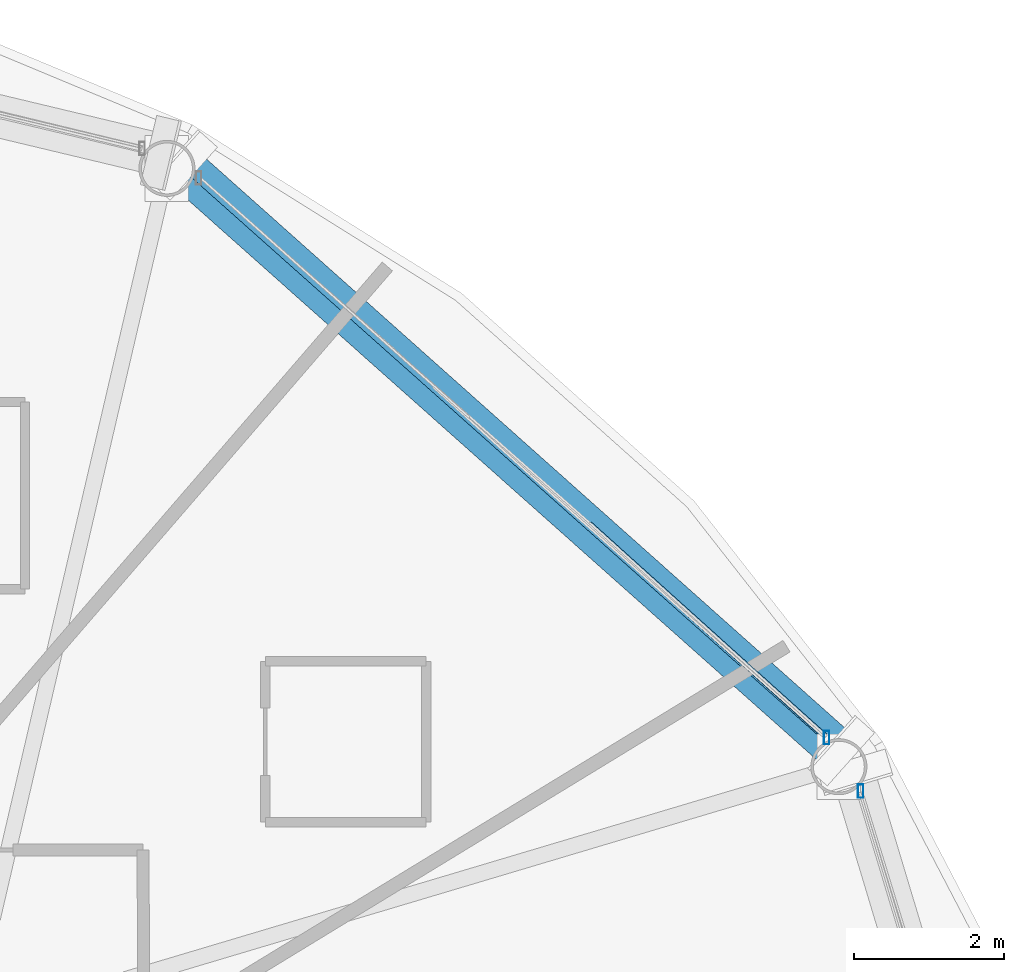
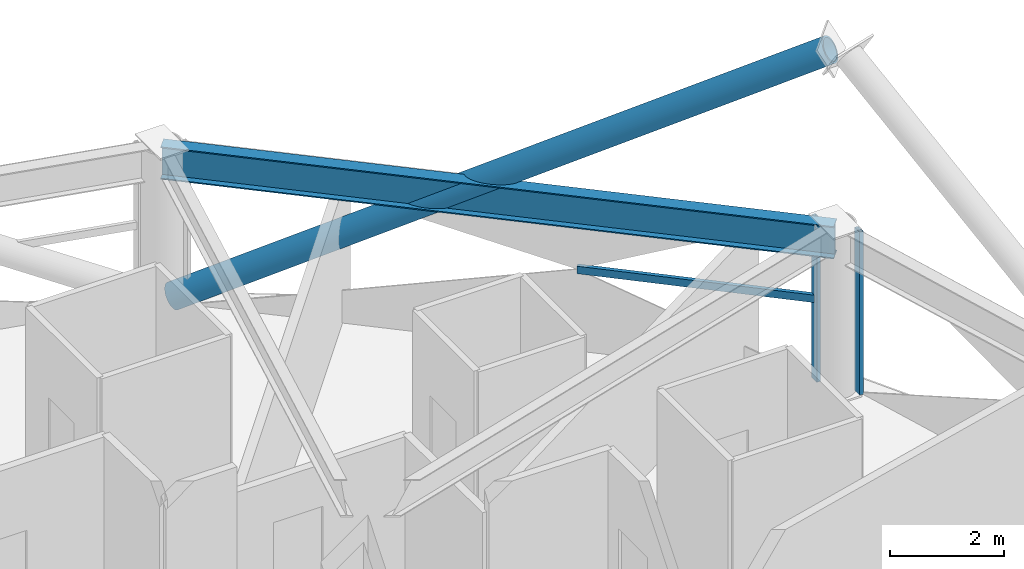
# One storey, part 18 of 29: 4 members, 1 beam, 2 elements without a shape of their own.
"""IFC4 building model written with IfcOpenShell, lengths in metres."""

from ifc_helpers import new_model, si_unit, direction, frame, origin, origin_2d, place, context, subcontext, project, spatial, hollow_rectangle, hollow_circle, i_section, extrude, material, layer, layer_set, material_profile, profile_set, type_object, element, aggregate, save


model = new_model("IFC4")

# Units and contexts
model_context = context("Model", 3, precision=1e-05, world=origin(), true_north=direction((0.0, 1.0)))
body_context = subcontext(model_context, "Body", "Model", "MODEL_VIEW")
ifc_project = project(units=[si_unit("LENGTHUNIT", "METRE"), si_unit("AREAUNIT", "SQUARE_METRE"), si_unit("VOLUMEUNIT", "CUBIC_METRE"), si_unit("PLANEANGLEUNIT", "RADIAN"), si_unit("MASSUNIT", "GRAM", prefix="KILO")], contexts=[model_context])

# Site, building, storey
site_placement = place(None, origin())
site = spatial("IfcSite", under=ifc_project, at=site_placement, CompositionType="ELEMENT")
building_placement = place(site_placement, origin())
building = spatial("IfcBuilding", under=site, at=building_placement, Name="Vantalir Tower", CompositionType="ELEMENT")
storey_placement = place(building_placement, frame((0.0, 0.0, 164.699951171875)))
storey = spatial("IfcBuildingStorey", under=building, at=storey_placement, Name="L41", CompositionType="ELEMENT", Elevation=164.699951171875)

# Beam
ifc_material_1 = material(Name="Steel S460", Category="steel")
ifc_material_profile_1 = material_profile(ifc_material_1, i_section(OverallWidth=0.256103515625, OverallDepth=0.693115234375, WebThickness=0.014404296875, FlangeThickness=0.023681640625, at=origin_2d()), Name="Steel S460")
ifc_profile_set_1 = profile_set([ifc_material_profile_1], Name="Steel S460")
beam_type = type_object("IfcBeamType", Name="BM-RG-686x254", PredefinedType="USERDEFINED", material=ifc_profile_set_1)
beam_placement = place(storey_placement, frame((52.7490234375, 35.924072265625, 3.22412109375), z_axis=(-0.746841140724, 0.66500248911, 0.0), x_axis=(-0.66500248911, -0.746841140724, 0.0)))
element("IfcBeam", 1, at=beam_placement, inside=storey, type_object=beam_type, Name="L41 Circumferential Ring Girder 02", ObjectType="GIRDER", PredefinedType="USERDEFINED", context=body_context, shape_type="SweptSolid", body=[
    extrude(i_section(OverallWidth=0.256103515625, OverallDepth=0.693115234375, WebThickness=0.014404296875, FlangeThickness=0.023681640625, at=origin_2d()), origin(), (0.0, 0.0, 1.0), 12.025146484375),
])

# Curtain wall, member
ifc_material_2 = material(Name="Champagne-silver PVDF aluminium and double-silver Low-E glass", Category="aluminium")
ifc_layer = layer(ifc_material_2, 0.199951171875)
ifc_layer_set = layer_set([ifc_layer], Name="Champagne-silver PVDF aluminium and double-silver Low-E glass")
curtain_wall_type = type_object("IfcCurtainWallType", Name="CW-DIAMOND-Z2", PredefinedType="USERDEFINED", material=ifc_layer_set)
curtain_wall_1_placement = place(storey_placement, origin())
curtain_wall_1 = element("IfcCurtainWall", 2, at=curtain_wall_1_placement, inside=storey, type_object=curtain_wall_type, Name="L41 Quilted Pyramid-Diamond Curtain Wall S01", ObjectType="UNITISED CURTAIN WALL", PredefinedType="USERDEFINED")
ifc_material_3 = material(Name="Champagne-silver PVDF aluminium 6063-T6", Category="aluminium")
ifc_material_profile_2 = material_profile(ifc_material_3, hollow_rectangle(XDim=0.074951171875, YDim=0.179931640625, WallThickness=0.00390625, at=origin_2d()), Name="Champagne-silver PVDF aluminium 6063-T6")
ifc_profile_set_2 = profile_set([ifc_material_profile_2], Name="Champagne-silver PVDF aluminium 6063-T6")
member_type_1 = type_object("IfcMemberType", Name="CWM-180x75", PredefinedType="MULLION", material=ifc_profile_set_2)
member_1_placement = place(storey_placement, frame((53.0400390625, 35.597900390625, 0.045166015625), z_axis=(0.0, 0.0, 1.0), x_axis=(1.0, 0.0, 0.0)))
member_1 = element("IfcMember", 3, at=member_1_placement, type_object=member_type_1, Name="CW-L41-S01 Mullion 2", PredefinedType="MULLION", context=body_context, shape_type="SweptSolid", body=[
    extrude(hollow_rectangle(XDim=0.074951171875, YDim=0.179931640625, WallThickness=0.00390625, at=origin_2d()), origin(), (0.0, 0.0, 1.0), 3.47998046875),
])
aggregate(curtain_wall_1, [member_1])

# Curtain wall, members
curtain_wall_2_placement = place(storey_placement, origin())
curtain_wall_2 = element("IfcCurtainWall", 4, at=curtain_wall_2_placement, inside=storey, type_object=curtain_wall_type, Name="L41 Quilted Pyramid-Diamond Curtain Wall S02", ObjectType="UNITISED CURTAIN WALL", PredefinedType="USERDEFINED")
member_2_placement = place(storey_placement, frame((52.5849609375, 36.31201171875, 0.045166015625), z_axis=(0.0, 0.0, 1.0), x_axis=(1.0, 0.0, 0.0)))
member_2 = element("IfcMember", 5, at=member_2_placement, type_object=member_type_1, Name="CW-L41-S02 Mullion 1", PredefinedType="MULLION", context=body_context, shape_type="SweptSolid", body=[
    extrude(hollow_rectangle(XDim=0.074951171875, YDim=0.179931640625, WallThickness=0.00390625, at=origin_2d()), origin(), (0.0, 0.0, 1.0), 3.47998046875),
])
ifc_material_profile_3 = material_profile(ifc_material_3, hollow_rectangle(XDim=0.074951171875, YDim=0.159912109375, WallThickness=0.00390625, at=origin_2d()), Name="Champagne-silver PVDF aluminium 6063-T6")
ifc_profile_set_3 = profile_set([ifc_material_profile_3], Name="Champagne-silver PVDF aluminium 6063-T6")
member_type_2 = type_object("IfcMemberType", Name="CWT-160x75", PredefinedType="USERDEFINED", material=ifc_profile_set_3)
member_3_placement = place(storey_placement, frame((52.5849609375, 36.31201171875, 1.78515625), z_axis=(-0.742929970693, 0.669369149757, 0.0), x_axis=(-0.669369149757, -0.742929970693, 0.0)))
member_3 = element("IfcMember", 6, at=member_3_placement, type_object=member_type_2, Name="CW-L41-S02 Pyramid Fold Ridge Transom", ObjectType="TRANSOM", PredefinedType="USERDEFINED", context=body_context, shape_type="SweptSolid", body=[
    extrude(hollow_rectangle(XDim=0.074951171875, YDim=0.159912109375, WallThickness=0.00390625, at=origin_2d()), origin(), (0.0, 0.0, 1.0), 4.26806640625),
])
aggregate(curtain_wall_2, [member_2, member_3])

# Member
ifc_material_profile_4 = material_profile(ifc_material_1, hollow_circle(Radius=0.260009765625, WallThickness=0.0380859375, at=origin_2d()), Name="Steel S460")
ifc_profile_set_4 = profile_set([ifc_material_profile_4], Name="Steel S460")
member_type_3 = type_object("IfcMemberType", Name="MEM-DB-520x38", PredefinedType="BRACE", material=ifc_profile_set_4)
member_4_placement = place(storey_placement, frame((44.00390625, 43.958984375, 0.192138671875), z_axis=(0.642832846563, -0.572882666568, 0.508499146239), x_axis=(0.665320659853, 0.746557713491, 0.0)))
element("IfcMember", 7, at=member_4_placement, inside=storey, type_object=member_type_3, Name="L41 Perimeter S460 Diagrid Brace R07R", PredefinedType="BRACE", context=body_context, shape_type="SweptSolid", body=[
    extrude(hollow_circle(Radius=0.260009765625, WallThickness=0.0380859375, at=origin_2d()), origin(), (0.0, 0.0, 1.0), 13.6396484375),
])

save(model, "model.ifc")
